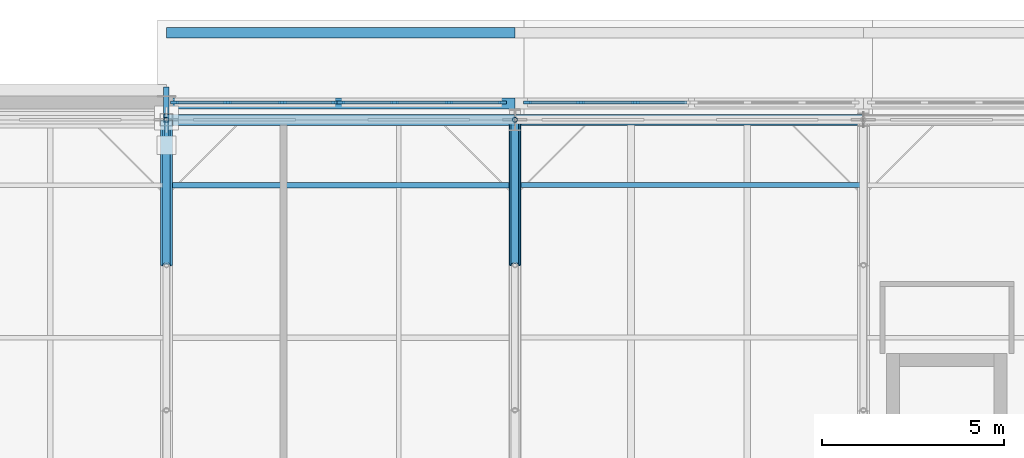
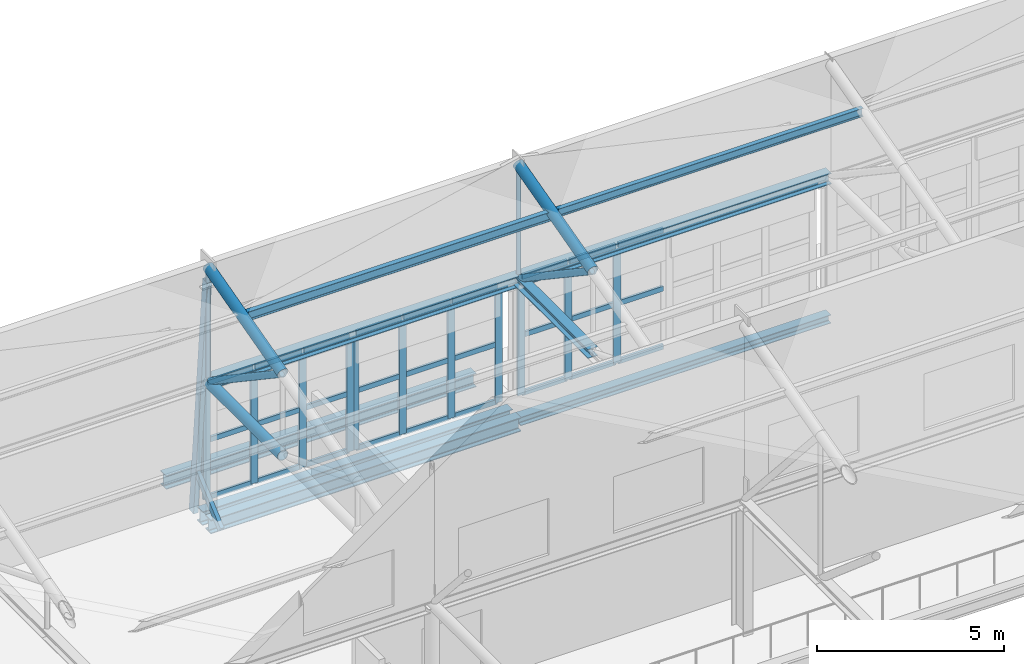
# One storey, part 42 of 89: 50 members, 6 beams, 3 elements without a shape of their own.
"""IFC4 building model written with IfcOpenShell, lengths in metres."""

from ifc_helpers import new_model, si_unit, direction, frame, origin, origin_2d, place, context, subcontext, project, spatial, rectangle, hollow_rectangle, hollow_circle, i_section, extrude, material, layer, layer_set, material_profile, profile_set, type_object, element, aggregate, save


model = new_model("IFC4")

# Units and contexts
model_context = context("Model", 3, precision=1e-05, world=origin(), true_north=direction((0.0, 1.0)))
body_context = subcontext(model_context, "Body", "Model", "MODEL_VIEW")
ifc_project = project(units=[si_unit("LENGTHUNIT", "METRE"), si_unit("AREAUNIT", "SQUARE_METRE"), si_unit("VOLUMEUNIT", "CUBIC_METRE"), si_unit("PLANEANGLEUNIT", "RADIAN"), si_unit("MASSUNIT", "GRAM", prefix="KILO")], contexts=[model_context])

# Site, building, storey
site_placement = place(None, origin())
site = spatial("IfcSite", under=ifc_project, at=site_placement, CompositionType="ELEMENT")
building_placement = place(site_placement, origin())
building = spatial("IfcBuilding", under=site, at=building_placement, Name="Zereglee Splitstone Museum", CompositionType="ELEMENT")
storey_placement = place(building_placement, frame((0.0, 0.0, 21.300048828125)))
storey = spatial("IfcBuildingStorey", under=building, at=storey_placement, Name="L04", CompositionType="ELEMENT", Elevation=21.300048828125)

# Members
ifc_material_1 = material(Name="Steel S355J2H", Category="steel")
ifc_material_profile_1 = material_profile(ifc_material_1, hollow_circle(Radius=0.109619140625, WallThickness=0.010009765625, at=origin_2d()), Name="CHS 219.1x10")
ifc_profile_set_1 = profile_set([ifc_material_profile_1], Name="Steel S355J2H")
member_type_1 = type_object("IfcMemberType", Name="TB-03", PredefinedType="BRACE", material=ifc_profile_set_1)
for number, where, z_axis, x_axis, name in (
    (1, (97.199951171875, 50.39990234375, 4.199951171875), (0.0, -0.830448263685, 0.557095755991), (1.0, 0.0, 0.0), "Roof Truss ST-03 Diagonal 3.3"),
    (2, (106.800048828125, 50.39990234375, 4.199951171875), (0.0, -0.830448263685, 0.557095755991), (1.0, 0.0, 0.0), "Roof Truss ST-04 Diagonal 3.3"),
):
    element("IfcMember", number, at=place(storey_placement, frame(where, z_axis=z_axis, x_axis=x_axis)), inside=storey, type_object=member_type_1, Name=name, PredefinedType="BRACE", context=body_context, shape_type="SweptSolid", body=[
        extrude(hollow_circle(Radius=0.109619140625, WallThickness=0.010009765625, at=origin_2d()), origin(), (0.0, 0.0, 1.0), 4.816650390625),
    ])

# Curtain wall, members
ifc_material_2 = material(Name="Triple-glazed low-E argon glass and bronze-anodised aluminium", Category="aluminium")
ifc_layer_1 = layer(ifc_material_2, 0.219970703125)
ifc_layer_set_1 = layer_set([ifc_layer_1], Name="Triple-glazed low-E argon glass and bronze-anodised aluminium")
curtain_wall_type_1 = type_object("IfcCurtainWallType", Name="CW-0451-388", PredefinedType="USERDEFINED", material=ifc_layer_set_1)
curtain_wall_1_placement = place(storey_placement, origin())
curtain_wall_1 = element("IfcCurtainWall", 3, at=curtain_wall_1_placement, inside=storey, type_object=curtain_wall_type_1, Name="Glazed Curtain Wall CW-0451-388 (L04)", ObjectType="GLAZED CURTAIN WALL", PredefinedType="USERDEFINED")
ifc_material_3 = material(Name="Thermally broken bronze-anodised aluminium", Category="aluminium")
ifc_material_profile_2 = material_profile(ifc_material_3, rectangle(XDim=0.074951171875, YDim=0.219970703125, at=origin_2d()), Name="CW MULL 75x220")
ifc_profile_set_2 = profile_set([ifc_material_profile_2], Name="Thermally broken bronze-anodised aluminium")
member_type_2 = type_object("IfcMemberType", Name="CWM-02", PredefinedType="MULLION", material=ifc_profile_set_2)
member_1_placement = place(storey_placement, frame((110.115966796875, 50.8798828125, 0.0), z_axis=(0.0, 0.0, 1.0), x_axis=(0.0, -1.0, 0.0)))
member_1 = element("IfcMember", 4, at=member_1_placement, type_object=member_type_2, Name="CW-0451-388 mullion 2", PredefinedType="MULLION", context=body_context, shape_type="SweptSolid", body=[
    extrude(rectangle(XDim=0.074951171875, YDim=0.219970703125, at=origin_2d()), origin(), (0.0, 0.0, 1.0), 3.8798828125),
])
member_2_placement = place(storey_placement, frame((108.612060546875, 50.8798828125, 0.0), z_axis=(0.0, 0.0, 1.0), x_axis=(0.0, -1.0, 0.0)))
member_2 = element("IfcMember", 5, at=member_2_placement, type_object=member_type_2, Name="CW-0451-388 mullion 3", PredefinedType="MULLION", context=body_context, shape_type="SweptSolid", body=[
    extrude(rectangle(XDim=0.074951171875, YDim=0.219970703125, at=origin_2d()), origin(), (0.0, 0.0, 1.0), 3.8798828125),
])
member_3_placement = place(storey_placement, frame((107.1455078125, 50.8798828125, 0.0), z_axis=(0.0, 0.0, 1.0), x_axis=(0.0, -1.0, 0.0)))
member_3 = element("IfcMember", 6, at=member_3_placement, type_object=member_type_2, Name="CW-0451-388 mullion 4", PredefinedType="MULLION", context=body_context, shape_type="SweptSolid", body=[
    extrude(rectangle(XDim=0.074951171875, YDim=0.219970703125, at=origin_2d()), origin(), (0.0, 0.0, 1.0), 3.8798828125),
])

ifc_layer_2 = layer(ifc_material_2, 0.219970703125)
ifc_layer_set_2 = layer_set([ifc_layer_2], Name="Triple-glazed low-E argon glass and bronze-anodised aluminium")
curtain_wall_type_2 = type_object("IfcCurtainWallType", Name="CW-0451-384", PredefinedType="USERDEFINED", material=ifc_layer_set_2)
curtain_wall_2_placement = place(storey_placement, origin())
curtain_wall_2 = element("IfcCurtainWall", 7, at=curtain_wall_2_placement, inside=storey, type_object=curtain_wall_type_2, Name="Glazed Curtain Wall CW-0451-384 (L04)", ObjectType="GLAZED CURTAIN WALL", PredefinedType="USERDEFINED")
member_4_placement = place(storey_placement, frame((106.45458984375, 50.8798828125, 0.0), z_axis=(0.0, 0.0, 1.0), x_axis=(0.0, -1.0, 0.0)))
member_4 = element("IfcMember", 8, at=member_4_placement, type_object=member_type_2, Name="CW-0451-384 mullion 1", PredefinedType="MULLION", context=body_context, shape_type="SweptSolid", body=[
    extrude(rectangle(XDim=0.074951171875, YDim=0.219970703125, at=origin_2d()), origin(), (0.0, 0.0, 1.0), 3.83984375),
])
member_5_placement = place(storey_placement, frame((104.987060546875, 50.8798828125, 0.0), z_axis=(0.0, 0.0, 1.0), x_axis=(0.0, -1.0, 0.0)))
member_5 = element("IfcMember", 9, at=member_5_placement, type_object=member_type_2, Name="CW-0451-384 mullion 2", PredefinedType="MULLION", context=body_context, shape_type="SweptSolid", body=[
    extrude(rectangle(XDim=0.074951171875, YDim=0.219970703125, at=origin_2d()), origin(), (0.0, 0.0, 1.0), 3.83984375),
])
member_6_placement = place(storey_placement, frame((103.482421875, 50.8798828125, 0.0), z_axis=(0.0, 0.0, 1.0), x_axis=(0.0, -1.0, 0.0)))
member_6 = element("IfcMember", 10, at=member_6_placement, type_object=member_type_2, Name="CW-0451-384 mullion 3", PredefinedType="MULLION", context=body_context, shape_type="SweptSolid", body=[
    extrude(rectangle(XDim=0.074951171875, YDim=0.219970703125, at=origin_2d()), origin(), (0.0, 0.0, 1.0), 3.83984375),
])
member_7_placement = place(storey_placement, frame((102.014892578125, 50.8798828125, 0.0), z_axis=(0.0, 0.0, 1.0), x_axis=(0.0, -1.0, 0.0)))
member_7 = element("IfcMember", 11, at=member_7_placement, type_object=member_type_2, Name="CW-0451-384 mullion 4", PredefinedType="MULLION", context=body_context, shape_type="SweptSolid", body=[
    extrude(rectangle(XDim=0.074951171875, YDim=0.219970703125, at=origin_2d()), origin(), (0.0, 0.0, 1.0), 3.83984375),
])

ifc_layer_3 = layer(ifc_material_2, 0.219970703125)
ifc_layer_set_3 = layer_set([ifc_layer_3], Name="Triple-glazed low-E argon glass and bronze-anodised aluminium")
curtain_wall_type_3 = type_object("IfcCurtainWallType", Name="CW-0451-382", PredefinedType="USERDEFINED", material=ifc_layer_set_3)
curtain_wall_3_placement = place(storey_placement, origin())
curtain_wall_3 = element("IfcCurtainWall", 12, at=curtain_wall_3_placement, inside=storey, type_object=curtain_wall_type_3, Name="Glazed Curtain Wall CW-0451-382 (L04)", ObjectType="GLAZED CURTAIN WALL", PredefinedType="USERDEFINED")
member_8_placement = place(storey_placement, frame((101.860107421875, 50.8798828125, 0.0), z_axis=(0.0, 0.0, 1.0), x_axis=(0.0, -1.0, 0.0)))
member_8 = element("IfcMember", 13, at=member_8_placement, type_object=member_type_2, Name="CW-0451-382 mullion 1", PredefinedType="MULLION", context=body_context, shape_type="SweptSolid", body=[
    extrude(rectangle(XDim=0.074951171875, YDim=0.219970703125, at=origin_2d()), origin(), (0.0, 0.0, 1.0), 3.820068359375),
])
member_9_placement = place(storey_placement, frame((100.392578125, 50.8798828125, 0.0), z_axis=(0.0, 0.0, 1.0), x_axis=(0.0, -1.0, 0.0)))
member_9 = element("IfcMember", 14, at=member_9_placement, type_object=member_type_2, Name="CW-0451-382 mullion 2", PredefinedType="MULLION", context=body_context, shape_type="SweptSolid", body=[
    extrude(rectangle(XDim=0.074951171875, YDim=0.219970703125, at=origin_2d()), origin(), (0.0, 0.0, 1.0), 3.820068359375),
])
member_10_placement = place(storey_placement, frame((98.887939453125, 50.8798828125, 0.0), z_axis=(0.0, 0.0, 1.0), x_axis=(0.0, -1.0, 0.0)))
member_10 = element("IfcMember", 15, at=member_10_placement, type_object=member_type_2, Name="CW-0451-382 mullion 3", PredefinedType="MULLION", context=body_context, shape_type="SweptSolid", body=[
    extrude(rectangle(XDim=0.074951171875, YDim=0.219970703125, at=origin_2d()), origin(), (0.0, 0.0, 1.0), 3.820068359375),
])
member_11_placement = place(storey_placement, frame((97.42041015625, 50.8798828125, 0.0), z_axis=(0.0, 0.0, 1.0), x_axis=(0.0, -1.0, 0.0)))
member_11 = element("IfcMember", 16, at=member_11_placement, type_object=member_type_2, Name="CW-0451-382 mullion 4", PredefinedType="MULLION", context=body_context, shape_type="SweptSolid", body=[
    extrude(rectangle(XDim=0.074951171875, YDim=0.219970703125, at=origin_2d()), origin(), (0.0, 0.0, 1.0), 3.820068359375),
])

# Member
ifc_material_profile_3 = material_profile(ifc_material_3, rectangle(XDim=0.074951171875, YDim=0.1650390625, at=origin_2d()), Name="CW TRAN 75x165")
ifc_profile_set_3 = profile_set([ifc_material_profile_3], Name="Thermally broken bronze-anodised aluminium")
member_type_3 = type_object("IfcMemberType", Name="CWT-02", PredefinedType="USERDEFINED", material=ifc_profile_set_3)
member_12_placement = place(storey_placement, frame((111.544921875, 50.8798828125, 0.037353515625), z_axis=(-1.0, 0.0, 0.0), x_axis=(0.0, -1.0, 0.0)))
member_12 = element("IfcMember", 17, at=member_12_placement, type_object=member_type_3, Name="CW-0451-388 transom 1.1", ObjectType="TRANSOM", PredefinedType="USERDEFINED", context=body_context, shape_type="SweptSolid", body=[
    extrude(rectangle(XDim=0.074951171875, YDim=0.1650390625, at=origin_2d()), origin(), (0.0, 0.0, 1.0), 1.391357421875),
])

member_13_placement = place(storey_placement, frame((111.544921875, 50.8798828125, 1.93994140625), z_axis=(-1.0, 0.0, 0.0), x_axis=(0.0, -1.0, 0.0)))
member_13 = element("IfcMember", 18, at=member_13_placement, type_object=member_type_3, Name="CW-0451-388 transom 1.2", ObjectType="TRANSOM", PredefinedType="USERDEFINED", context=body_context, shape_type="SweptSolid", body=[
    extrude(rectangle(XDim=0.074951171875, YDim=0.1650390625, at=origin_2d()), origin(), (0.0, 0.0, 1.0), 1.391357421875),
])

member_14_placement = place(storey_placement, frame((111.544921875, 50.8798828125, 3.842529296875), z_axis=(-1.0, 0.0, 0.0), x_axis=(0.0, -1.0, 0.0)))
member_14 = element("IfcMember", 19, at=member_14_placement, type_object=member_type_3, Name="CW-0451-388 transom 1.3", ObjectType="TRANSOM", PredefinedType="USERDEFINED", context=body_context, shape_type="SweptSolid", body=[
    extrude(rectangle(XDim=0.074951171875, YDim=0.1650390625, at=origin_2d()), origin(), (0.0, 0.0, 1.0), 1.391357421875),
])

member_15_placement = place(storey_placement, frame((110.07861328125, 50.8798828125, 0.037353515625), z_axis=(-1.0, 0.0, 0.0), x_axis=(0.0, -1.0, 0.0)))
member_15 = element("IfcMember", 20, at=member_15_placement, type_object=member_type_3, Name="CW-0451-388 transom 2.1", ObjectType="TRANSOM", PredefinedType="USERDEFINED", context=body_context, shape_type="SweptSolid", body=[
    extrude(rectangle(XDim=0.074951171875, YDim=0.1650390625, at=origin_2d()), origin(), (0.0, 0.0, 1.0), 1.42919921875),
])

member_16_placement = place(storey_placement, frame((110.07861328125, 50.8798828125, 1.93994140625), z_axis=(-1.0, 0.0, 0.0), x_axis=(0.0, -1.0, 0.0)))
member_16 = element("IfcMember", 21, at=member_16_placement, type_object=member_type_3, Name="CW-0451-388 transom 2.2", ObjectType="TRANSOM", PredefinedType="USERDEFINED", context=body_context, shape_type="SweptSolid", body=[
    extrude(rectangle(XDim=0.074951171875, YDim=0.1650390625, at=origin_2d()), origin(), (0.0, 0.0, 1.0), 1.42919921875),
])

member_17_placement = place(storey_placement, frame((110.07861328125, 50.8798828125, 3.842529296875), z_axis=(-1.0, 0.0, 0.0), x_axis=(0.0, -1.0, 0.0)))
member_17 = element("IfcMember", 22, at=member_17_placement, type_object=member_type_3, Name="CW-0451-388 transom 2.3", ObjectType="TRANSOM", PredefinedType="USERDEFINED", context=body_context, shape_type="SweptSolid", body=[
    extrude(rectangle(XDim=0.074951171875, YDim=0.1650390625, at=origin_2d()), origin(), (0.0, 0.0, 1.0), 1.42919921875),
])

member_18_placement = place(storey_placement, frame((108.574462890625, 50.8798828125, 0.037353515625), z_axis=(-1.0, 0.0, 0.0), x_axis=(0.0, -1.0, 0.0)))
member_18 = element("IfcMember", 23, at=member_18_placement, type_object=member_type_3, Name="CW-0451-388 transom 3.1", ObjectType="TRANSOM", PredefinedType="USERDEFINED", context=body_context, shape_type="SweptSolid", body=[
    extrude(rectangle(XDim=0.074951171875, YDim=0.1650390625, at=origin_2d()), origin(), (0.0, 0.0, 1.0), 1.391357421875),
])

member_19_placement = place(storey_placement, frame((108.574462890625, 50.8798828125, 1.93994140625), z_axis=(-1.0, 0.0, 0.0), x_axis=(0.0, -1.0, 0.0)))
member_19 = element("IfcMember", 24, at=member_19_placement, type_object=member_type_3, Name="CW-0451-388 transom 3.2", ObjectType="TRANSOM", PredefinedType="USERDEFINED", context=body_context, shape_type="SweptSolid", body=[
    extrude(rectangle(XDim=0.074951171875, YDim=0.1650390625, at=origin_2d()), origin(), (0.0, 0.0, 1.0), 1.391357421875),
])

member_20_placement = place(storey_placement, frame((108.574462890625, 50.8798828125, 3.842529296875), z_axis=(-1.0, 0.0, 0.0), x_axis=(0.0, -1.0, 0.0)))
member_20 = element("IfcMember", 25, at=member_20_placement, type_object=member_type_3, Name="CW-0451-388 transom 3.3", ObjectType="TRANSOM", PredefinedType="USERDEFINED", context=body_context, shape_type="SweptSolid", body=[
    extrude(rectangle(XDim=0.074951171875, YDim=0.1650390625, at=origin_2d()), origin(), (0.0, 0.0, 1.0), 1.391357421875),
])

aggregate(curtain_wall_1, [member_1, member_2, member_3, member_12, member_13, member_14, member_15, member_16, member_17, member_18, member_19, member_20])

member_21_placement = place(storey_placement, frame((106.4169921875, 50.8798828125, 0.037353515625), z_axis=(-1.0, 0.0, 0.0), x_axis=(0.0, -1.0, 0.0)))
member_21 = element("IfcMember", 26, at=member_21_placement, type_object=member_type_3, Name="CW-0451-384 transom 1.1", ObjectType="TRANSOM", PredefinedType="USERDEFINED", context=body_context, shape_type="SweptSolid", body=[
    extrude(rectangle(XDim=0.074951171875, YDim=0.1650390625, at=origin_2d()), origin(), (0.0, 0.0, 1.0), 1.392333984375),
])

member_22_placement = place(storey_placement, frame((106.4169921875, 50.8798828125, 1.919921875), z_axis=(-1.0, 0.0, 0.0), x_axis=(0.0, -1.0, 0.0)))
member_22 = element("IfcMember", 27, at=member_22_placement, type_object=member_type_3, Name="CW-0451-384 transom 1.2", ObjectType="TRANSOM", PredefinedType="USERDEFINED", context=body_context, shape_type="SweptSolid", body=[
    extrude(rectangle(XDim=0.074951171875, YDim=0.1650390625, at=origin_2d()), origin(), (0.0, 0.0, 1.0), 1.392333984375),
])

member_23_placement = place(storey_placement, frame((106.4169921875, 50.8798828125, 3.802490234375), z_axis=(-1.0, 0.0, 0.0), x_axis=(0.0, -1.0, 0.0)))
member_23 = element("IfcMember", 28, at=member_23_placement, type_object=member_type_3, Name="CW-0451-384 transom 1.3", ObjectType="TRANSOM", PredefinedType="USERDEFINED", context=body_context, shape_type="SweptSolid", body=[
    extrude(rectangle(XDim=0.074951171875, YDim=0.1650390625, at=origin_2d()), origin(), (0.0, 0.0, 1.0), 1.392333984375),
])

member_24_placement = place(storey_placement, frame((104.94970703125, 50.8798828125, 0.037353515625), z_axis=(-1.0, 0.0, 0.0), x_axis=(0.0, -1.0, 0.0)))
member_24 = element("IfcMember", 29, at=member_24_placement, type_object=member_type_3, Name="CW-0451-384 transom 2.1", ObjectType="TRANSOM", PredefinedType="USERDEFINED", context=body_context, shape_type="SweptSolid", body=[
    extrude(rectangle(XDim=0.074951171875, YDim=0.1650390625, at=origin_2d()), origin(), (0.0, 0.0, 1.0), 1.429931640625),
])

member_25_placement = place(storey_placement, frame((104.94970703125, 50.8798828125, 1.919921875), z_axis=(-1.0, 0.0, 0.0), x_axis=(0.0, -1.0, 0.0)))
member_25 = element("IfcMember", 30, at=member_25_placement, type_object=member_type_3, Name="CW-0451-384 transom 2.2", ObjectType="TRANSOM", PredefinedType="USERDEFINED", context=body_context, shape_type="SweptSolid", body=[
    extrude(rectangle(XDim=0.074951171875, YDim=0.1650390625, at=origin_2d()), origin(), (0.0, 0.0, 1.0), 1.429931640625),
])

member_26_placement = place(storey_placement, frame((104.94970703125, 50.8798828125, 3.802490234375), z_axis=(-1.0, 0.0, 0.0), x_axis=(0.0, -1.0, 0.0)))
member_26 = element("IfcMember", 31, at=member_26_placement, type_object=member_type_3, Name="CW-0451-384 transom 2.3", ObjectType="TRANSOM", PredefinedType="USERDEFINED", context=body_context, shape_type="SweptSolid", body=[
    extrude(rectangle(XDim=0.074951171875, YDim=0.1650390625, at=origin_2d()), origin(), (0.0, 0.0, 1.0), 1.429931640625),
])

member_27_placement = place(storey_placement, frame((103.44482421875, 50.8798828125, 0.037353515625), z_axis=(-1.0, 0.0, 0.0), x_axis=(0.0, -1.0, 0.0)))
member_27 = element("IfcMember", 32, at=member_27_placement, type_object=member_type_3, Name="CW-0451-384 transom 3.1", ObjectType="TRANSOM", PredefinedType="USERDEFINED", context=body_context, shape_type="SweptSolid", body=[
    extrude(rectangle(XDim=0.074951171875, YDim=0.1650390625, at=origin_2d()), origin(), (0.0, 0.0, 1.0), 1.392333984375),
])

member_28_placement = place(storey_placement, frame((103.44482421875, 50.8798828125, 1.919921875), z_axis=(-1.0, 0.0, 0.0), x_axis=(0.0, -1.0, 0.0)))
member_28 = element("IfcMember", 33, at=member_28_placement, type_object=member_type_3, Name="CW-0451-384 transom 3.2", ObjectType="TRANSOM", PredefinedType="USERDEFINED", context=body_context, shape_type="SweptSolid", body=[
    extrude(rectangle(XDim=0.074951171875, YDim=0.1650390625, at=origin_2d()), origin(), (0.0, 0.0, 1.0), 1.392333984375),
])

member_29_placement = place(storey_placement, frame((103.44482421875, 50.8798828125, 3.802490234375), z_axis=(-1.0, 0.0, 0.0), x_axis=(0.0, -1.0, 0.0)))
member_29 = element("IfcMember", 34, at=member_29_placement, type_object=member_type_3, Name="CW-0451-384 transom 3.3", ObjectType="TRANSOM", PredefinedType="USERDEFINED", context=body_context, shape_type="SweptSolid", body=[
    extrude(rectangle(XDim=0.074951171875, YDim=0.1650390625, at=origin_2d()), origin(), (0.0, 0.0, 1.0), 1.392333984375),
])

aggregate(curtain_wall_2, [member_4, member_5, member_6, member_7, member_21, member_22, member_23, member_24, member_25, member_26, member_27, member_28, member_29])

member_30_placement = place(storey_placement, frame((101.822509765625, 50.8798828125, 0.037353515625), z_axis=(-1.0, 0.0, 0.0), x_axis=(0.0, -1.0, 0.0)))
member_30 = element("IfcMember", 35, at=member_30_placement, type_object=member_type_3, Name="CW-0451-382 transom 1.1", ObjectType="TRANSOM", PredefinedType="USERDEFINED", context=body_context, shape_type="SweptSolid", body=[
    extrude(rectangle(XDim=0.074951171875, YDim=0.1650390625, at=origin_2d()), origin(), (0.0, 0.0, 1.0), 1.392333984375),
])

member_31_placement = place(storey_placement, frame((101.822509765625, 50.8798828125, 1.909912109375), z_axis=(-1.0, 0.0, 0.0), x_axis=(0.0, -1.0, 0.0)))
member_31 = element("IfcMember", 36, at=member_31_placement, type_object=member_type_3, Name="CW-0451-382 transom 1.2", ObjectType="TRANSOM", PredefinedType="USERDEFINED", context=body_context, shape_type="SweptSolid", body=[
    extrude(rectangle(XDim=0.074951171875, YDim=0.1650390625, at=origin_2d()), origin(), (0.0, 0.0, 1.0), 1.392333984375),
])

member_32_placement = place(storey_placement, frame((101.822509765625, 50.8798828125, 3.782470703125), z_axis=(-1.0, 0.0, 0.0), x_axis=(0.0, -1.0, 0.0)))
member_32 = element("IfcMember", 37, at=member_32_placement, type_object=member_type_3, Name="CW-0451-382 transom 1.3", ObjectType="TRANSOM", PredefinedType="USERDEFINED", context=body_context, shape_type="SweptSolid", body=[
    extrude(rectangle(XDim=0.074951171875, YDim=0.1650390625, at=origin_2d()), origin(), (0.0, 0.0, 1.0), 1.392333984375),
])

member_33_placement = place(storey_placement, frame((100.355224609375, 50.8798828125, 0.037353515625), z_axis=(-1.0, 0.0, 0.0), x_axis=(0.0, -1.0, 0.0)))
member_33 = element("IfcMember", 38, at=member_33_placement, type_object=member_type_3, Name="CW-0451-382 transom 2.1", ObjectType="TRANSOM", PredefinedType="USERDEFINED", context=body_context, shape_type="SweptSolid", body=[
    extrude(rectangle(XDim=0.074951171875, YDim=0.1650390625, at=origin_2d()), origin(), (0.0, 0.0, 1.0), 1.429931640625),
])

member_34_placement = place(storey_placement, frame((100.355224609375, 50.8798828125, 1.909912109375), z_axis=(-1.0, 0.0, 0.0), x_axis=(0.0, -1.0, 0.0)))
member_34 = element("IfcMember", 39, at=member_34_placement, type_object=member_type_3, Name="CW-0451-382 transom 2.2", ObjectType="TRANSOM", PredefinedType="USERDEFINED", context=body_context, shape_type="SweptSolid", body=[
    extrude(rectangle(XDim=0.074951171875, YDim=0.1650390625, at=origin_2d()), origin(), (0.0, 0.0, 1.0), 1.429931640625),
])

member_35_placement = place(storey_placement, frame((100.355224609375, 50.8798828125, 3.782470703125), z_axis=(-1.0, 0.0, 0.0), x_axis=(0.0, -1.0, 0.0)))
member_35 = element("IfcMember", 40, at=member_35_placement, type_object=member_type_3, Name="CW-0451-382 transom 2.3", ObjectType="TRANSOM", PredefinedType="USERDEFINED", context=body_context, shape_type="SweptSolid", body=[
    extrude(rectangle(XDim=0.074951171875, YDim=0.1650390625, at=origin_2d()), origin(), (0.0, 0.0, 1.0), 1.429931640625),
])

member_36_placement = place(storey_placement, frame((98.850341796875, 50.8798828125, 0.037353515625), z_axis=(-1.0, 0.0, 0.0), x_axis=(0.0, -1.0, 0.0)))
member_36 = element("IfcMember", 41, at=member_36_placement, type_object=member_type_3, Name="CW-0451-382 transom 3.1", ObjectType="TRANSOM", PredefinedType="USERDEFINED", context=body_context, shape_type="SweptSolid", body=[
    extrude(rectangle(XDim=0.074951171875, YDim=0.1650390625, at=origin_2d()), origin(), (0.0, 0.0, 1.0), 1.392333984375),
])

member_37_placement = place(storey_placement, frame((98.850341796875, 50.8798828125, 1.909912109375), z_axis=(-1.0, 0.0, 0.0), x_axis=(0.0, -1.0, 0.0)))
member_37 = element("IfcMember", 42, at=member_37_placement, type_object=member_type_3, Name="CW-0451-382 transom 3.2", ObjectType="TRANSOM", PredefinedType="USERDEFINED", context=body_context, shape_type="SweptSolid", body=[
    extrude(rectangle(XDim=0.074951171875, YDim=0.1650390625, at=origin_2d()), origin(), (0.0, 0.0, 1.0), 1.392333984375),
])

member_38_placement = place(storey_placement, frame((98.850341796875, 50.8798828125, 3.782470703125), z_axis=(-1.0, 0.0, 0.0), x_axis=(0.0, -1.0, 0.0)))
member_38 = element("IfcMember", 43, at=member_38_placement, type_object=member_type_3, Name="CW-0451-382 transom 3.3", ObjectType="TRANSOM", PredefinedType="USERDEFINED", context=body_context, shape_type="SweptSolid", body=[
    extrude(rectangle(XDim=0.074951171875, YDim=0.1650390625, at=origin_2d()), origin(), (0.0, 0.0, 1.0), 1.392333984375),
])

aggregate(curtain_wall_3, [member_8, member_9, member_10, member_11, member_30, member_31, member_32, member_33, member_34, member_35, member_36, member_37, member_38])

# Members
ifc_material_profile_4 = material_profile(ifc_material_1, hollow_circle(Radius=0.161865234375, WallThickness=0.01611328125, at=origin_2d()), Name="CHS 323.9x16")
ifc_profile_set_4 = profile_set([ifc_material_profile_4], Name="Steel S355J2H")
member_type_4 = type_object("IfcMemberType", Name="TC-05", PredefinedType="CHORD", material=ifc_profile_set_4)
member_39_placement = place(storey_placement, frame((97.199951171875, 46.39990234375, 4.199951171875), z_axis=(0.0, 1.0, 0.0), x_axis=(-1.0, 0.0, 0.0)))
element("IfcMember", 44, at=member_39_placement, inside=storey, type_object=member_type_4, Name="Roof Truss ST-03 Bottom Chord 3.3", PredefinedType="CHORD", context=body_context, shape_type="SweptSolid", body=[
    extrude(hollow_circle(Radius=0.161865234375, WallThickness=0.01611328125, at=origin_2d()), origin(), (0.0, 0.0, 1.0), 4.0),
])
for number, where, z_axis, x_axis, name in (
    (45, (97.199951171875, 46.39990234375, 6.88330078125), (0.0, 0.966235918422, 0.257658979955), (-1.0, 0.0, 0.0), "Roof Truss ST-03 Top Chord 3.3"),
    (46, (106.800048828125, 46.39990234375, 6.88330078125), (0.0, 0.966235918422, 0.257658979955), (-1.0, 0.0, 0.0), "Roof Truss ST-04 Top Chord 3.3"),
):
    element("IfcMember", number, at=place(storey_placement, frame(where, z_axis=z_axis, x_axis=x_axis)), inside=storey, type_object=member_type_4, Name=name, PredefinedType="CHORD", context=body_context, shape_type="SweptSolid", body=[
        extrude(hollow_circle(Radius=0.161865234375, WallThickness=0.01611328125, at=origin_2d()), origin(), (0.0, 0.0, 1.0), 4.139892578125),
    ])
ifc_material_4 = material(Name="Steel S355J2", Category="steel")
ifc_material_profile_5 = material_profile(ifc_material_4, i_section(OverallWidth=0.300048828125, OverallDepth=0.300048828125, WebThickness=0.010986328125, FlangeThickness=0.01904296875, FilletRadius=0.027099609375, at=origin_2d()), Name="HE 300 B")
ifc_profile_set_5 = profile_set([ifc_material_profile_5], Name="Steel S355J2")
member_type_5 = type_object("IfcMemberType", Name="TC-07", PredefinedType="CHORD", material=ifc_profile_set_5)
member_40_placement = place(storey_placement, frame((106.800048828125, 46.39990234375, 4.199951171875), z_axis=(0.0, 1.0, 0.0), x_axis=(-1.0, 0.0, 0.0)))
element("IfcMember", 47, at=member_40_placement, inside=storey, type_object=member_type_5, Name="Roof Truss ST-04 Bottom Chord 3.3", PredefinedType="CHORD", context=body_context, shape_type="SweptSolid", body=[
    extrude(i_section(OverallWidth=0.300048828125, OverallDepth=0.300048828125, WebThickness=0.010986328125, FlangeThickness=0.01904296875, FilletRadius=0.027099609375, at=origin_2d()), origin(), (0.0, 0.0, 1.0), 4.0),
])

# Beams
ifc_material_profile_6 = material_profile(ifc_material_4, i_section(OverallWidth=0.300048828125, OverallDepth=0.360107421875, WebThickness=0.012451171875, FlangeThickness=0.0224609375, FilletRadius=0.027099609375, at=origin_2d()), Name="HE 360 B")
ifc_profile_set_6 = profile_set([ifc_material_profile_6], Name="Steel S355J2")
beam_type_1 = type_object("IfcBeamType", Name="BG-14", PredefinedType="BEAM", material=ifc_profile_set_6)
beam_1_placement = place(storey_placement, frame((97.199951171875, 50.39990234375, 4.199951171875), z_axis=(1.0, 0.0, 0.0), x_axis=(0.0, 1.0, 0.0)))
element("IfcBeam", 48, at=beam_1_placement, inside=storey, type_object=beam_type_1, Name="Sawtooth Monitor Sill Beam B3-S3", PredefinedType="BEAM", context=body_context, shape_type="SweptSolid", body=[
    extrude(i_section(OverallWidth=0.300048828125, OverallDepth=0.360107421875, WebThickness=0.012451171875, FlangeThickness=0.0224609375, FilletRadius=0.027099609375, at=origin_2d()), origin(), (0.0, 0.0, 1.0), 9.60009765625),
])
beam_2_placement = place(storey_placement, frame((106.800048828125, 50.39990234375, 4.199951171875), z_axis=(1.0, 0.0, 0.0), x_axis=(0.0, 1.0, 0.0)))
element("IfcBeam", 49, at=beam_2_placement, inside=storey, type_object=beam_type_1, Name="Sawtooth Monitor Sill Beam B4-S3", PredefinedType="BEAM", context=body_context, shape_type="SweptSolid", body=[
    extrude(i_section(OverallWidth=0.300048828125, OverallDepth=0.360107421875, WebThickness=0.012451171875, FlangeThickness=0.0224609375, FilletRadius=0.027099609375, at=origin_2d()), origin(), (0.0, 0.0, 1.0), 9.599853515625),
])

# Members
ifc_material_profile_7 = material_profile(ifc_material_1, hollow_circle(Radius=0.06982421875, WallThickness=0.008056640625, at=origin_2d()), Name="CHS 139.7x8")
ifc_profile_set_7 = profile_set([ifc_material_profile_7], Name="Steel S355J2H")
member_type_6 = type_object("IfcMemberType", Name="TP-03", PredefinedType="POST", material=ifc_profile_set_7)
for number, where, z_axis, x_axis, name in (
    (50, (97.199951171875, 50.39990234375, 4.199951171875), (0.0, 0.0, 1.0), (1.0, 0.0, 0.0), "Roof Truss ST-03 Post 3.3"),
    (51, (106.800048828125, 50.39990234375, 4.199951171875), (0.0, 0.0, 1.0), (1.0, 0.0, 0.0), "Roof Truss ST-04 Post 3.3"),
):
    element("IfcMember", number, at=place(storey_placement, frame(where, z_axis=z_axis, x_axis=x_axis)), inside=storey, type_object=member_type_6, Name=name, PredefinedType="POST", context=body_context, shape_type="SweptSolid", body=[
        extrude(hollow_circle(Radius=0.06982421875, WallThickness=0.008056640625, at=origin_2d()), origin(), (0.0, 0.0, 1.0), 3.75),
    ])
ifc_material_profile_8 = material_profile(ifc_material_4, i_section(OverallWidth=0.135009765625, OverallDepth=0.27001953125, WebThickness=0.006591796875, FlangeThickness=0.01025390625, FilletRadius=0.014892578125, at=origin_2d()), Name="IPE 270")
ifc_profile_set_8 = profile_set([ifc_material_profile_8], Name="Steel S355J2")
member_type_7 = type_object("IfcMemberType", Name="PR-02", PredefinedType="PURLIN", material=ifc_profile_set_8)
member_41_placement = place(storey_placement, frame((106.800048828125, 48.60009765625, 7.40869140625), z_axis=(1.0, 0.0, 0.0), x_axis=(0.0, 1.0, 0.0)))
element("IfcMember", 52, at=member_41_placement, inside=storey, type_object=member_type_7, Name="Sawtooth Roof Purlin B4-S3-3", PredefinedType="PURLIN", context=body_context, shape_type="SweptSolid", body=[
    extrude(i_section(OverallWidth=0.135009765625, OverallDepth=0.27001953125, WebThickness=0.006591796875, FlangeThickness=0.01025390625, FilletRadius=0.014892578125, at=origin_2d()), origin(), (0.0, 0.0, 1.0), 9.599853515625),
])
ifc_material_profile_9 = material_profile(ifc_material_4, i_section(OverallWidth=0.14990234375, OverallDepth=0.300048828125, WebThickness=0.007080078125, FlangeThickness=0.0107421875, FilletRadius=0.014892578125, at=origin_2d()), Name="IPE 300")
ifc_profile_set_9 = profile_set([ifc_material_profile_9], Name="Steel S355J2")
member_type_8 = type_object("IfcMemberType", Name="PR-01", PredefinedType="PURLIN", material=ifc_profile_set_9)
member_42_placement = place(storey_placement, frame((97.199951171875, 48.60009765625, 7.39306640625), z_axis=(1.0, 0.0, 0.0), x_axis=(0.0, 1.0, 0.0)))
element("IfcMember", 53, at=member_42_placement, inside=storey, type_object=member_type_8, Name="Sawtooth Roof Purlin B3-S3-3", PredefinedType="PURLIN", context=body_context, shape_type="SweptSolid", body=[
    extrude(i_section(OverallWidth=0.14990234375, OverallDepth=0.300048828125, WebThickness=0.007080078125, FlangeThickness=0.0107421875, FilletRadius=0.014892578125, at=origin_2d()), origin(), (0.0, 0.0, 1.0), 9.60009765625),
])

# Beams
ifc_material_profile_10 = material_profile(ifc_material_4, i_section(OverallWidth=0.280029296875, OverallDepth=0.280029296875, WebThickness=0.010498046875, FlangeThickness=0.01806640625, FilletRadius=0.02392578125, at=origin_2d()), Name="HE 280 B")
ifc_profile_set_10 = profile_set([ifc_material_profile_10], Name="Steel S355J2")
beam_type_2 = type_object("IfcBeamType", Name="SP-03", PredefinedType="SPANDREL", material=ifc_profile_set_10)
beam_3_placement = place(storey_placement, frame((106.800048828125, 50.39990234375, -0.400146484375), z_axis=(1.0, 0.0, 0.0), x_axis=(0.0, 1.0, 0.0)))
element("IfcBeam", 54, at=beam_3_placement, inside=storey, type_object=beam_type_2, Name="Primary Girder L04 F (106.8-116.4)", PredefinedType="SPANDREL", context=body_context, shape_type="SweptSolid", body=[
    extrude(i_section(OverallWidth=0.280029296875, OverallDepth=0.280029296875, WebThickness=0.010498046875, FlangeThickness=0.01806640625, FilletRadius=0.02392578125, at=origin_2d()), origin(), (0.0, 0.0, 1.0), 9.599853515625),
])
ifc_material_profile_11 = material_profile(ifc_material_4, i_section(OverallWidth=0.300048828125, OverallDepth=0.449951171875, WebThickness=0.013916015625, FlangeThickness=0.02587890625, FilletRadius=0.027099609375, at=origin_2d()), Name="HE 450 B")
ifc_profile_set_11 = profile_set([ifc_material_profile_11], Name="Steel S355J2")
beam_type_3 = type_object("IfcBeamType", Name="SP-02", PredefinedType="SPANDREL", material=ifc_profile_set_11)
for number, where, z_axis, x_axis, name in (
    (55, (97.199951171875, 50.39990234375, -0.485107421875), (1.0, 0.0, 0.0), (0.0, 1.0, 0.0), "Primary Girder L04 F (97.2-106.8)"),
    (56, (97.199951171875, 50.85009765625, -0.485107421875), (1.0, 0.0, 0.0), (0.0, 1.0, 0.0), "Hovering Soffit Spandrel L04 (97.2-106.8)"),
    (57, (97.199951171875, 52.800048828125, -0.485107421875), (1.0, 0.0, 0.0), (0.0, 1.0, 0.0), "Mughal Pishtaq Cornice Header Beam PSQ-ATRN-1"),
):
    element("IfcBeam", number, at=place(storey_placement, frame(where, z_axis=z_axis, x_axis=x_axis)), inside=storey, type_object=beam_type_3, Name=name, PredefinedType="SPANDREL", context=body_context, shape_type="SweptSolid", body=[
        extrude(i_section(OverallWidth=0.300048828125, OverallDepth=0.449951171875, WebThickness=0.013916015625, FlangeThickness=0.02587890625, FilletRadius=0.027099609375, at=origin_2d()), origin(), (0.0, 0.0, 1.0), 9.60009765625),
    ])

# Members
ifc_material_profile_12 = material_profile(ifc_material_1, hollow_rectangle(XDim=0.14990234375, YDim=0.25, WallThickness=0.010009765625, at=origin_2d()), Name="RHS 250x150x10")
ifc_profile_set_12 = profile_set([ifc_material_profile_12], Name="Steel S355J2H")
member_type_9 = type_object("IfcMemberType", Name="FS-R2", PredefinedType="STRUT", material=ifc_profile_set_12)
member_43_placement = place(storey_placement, frame((97.199951171875, 51.1767578125, -0.510009765625), z_axis=(0.0, -0.090892411904, 0.995860717901), x_axis=(1.0, 0.0, 0.0)))
element("IfcMember", 58, at=member_43_placement, inside=storey, type_object=member_type_9, Name="Split-Rock Continuous Facet Strut FH-V2NW L04-03", PredefinedType="STRUT", context=body_context, shape_type="SweptSolid", body=[
    extrude(hollow_rectangle(XDim=0.14990234375, YDim=0.25, WallThickness=0.010009765625, at=origin_2d()), origin(), (0.0, 0.0, 1.0), 8.023193359375),
])
ifc_material_profile_13 = material_profile(ifc_material_1, hollow_rectangle(XDim=0.1201171875, YDim=0.199951171875, WallThickness=0.008056640625, at=origin_2d()), Name="RHS 200x120x8")
ifc_profile_set_13 = profile_set([ifc_material_profile_13], Name="Steel S355J2H")
member_type_10 = type_object("IfcMemberType", Name="FS-T1", PredefinedType="STRUT", material=ifc_profile_set_13)
member_44_placement = place(storey_placement, frame((97.199951171875, 49.699951171875, -0.219970703125), z_axis=(0.0, 0.757166062891, 0.65322243777), x_axis=(-1.0, 0.0, 0.0)))
element("IfcMember", 59, at=member_44_placement, inside=storey, type_object=member_type_10, Name="Facet Tie-Back Strut FH-V2NW L04-03", PredefinedType="STRUT", context=body_context, shape_type="SweptSolid", body=[
    extrude(hollow_rectangle(XDim=0.1201171875, YDim=0.199951171875, WallThickness=0.008056640625, at=origin_2d()), origin(), (0.0, 0.0, 1.0), 1.775634765625),
])

save(model, "model.ifc")
